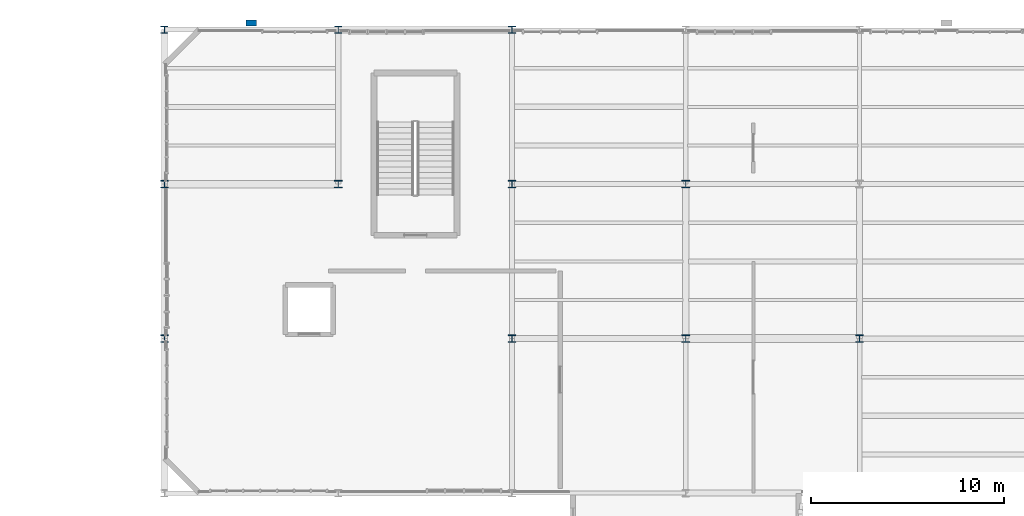
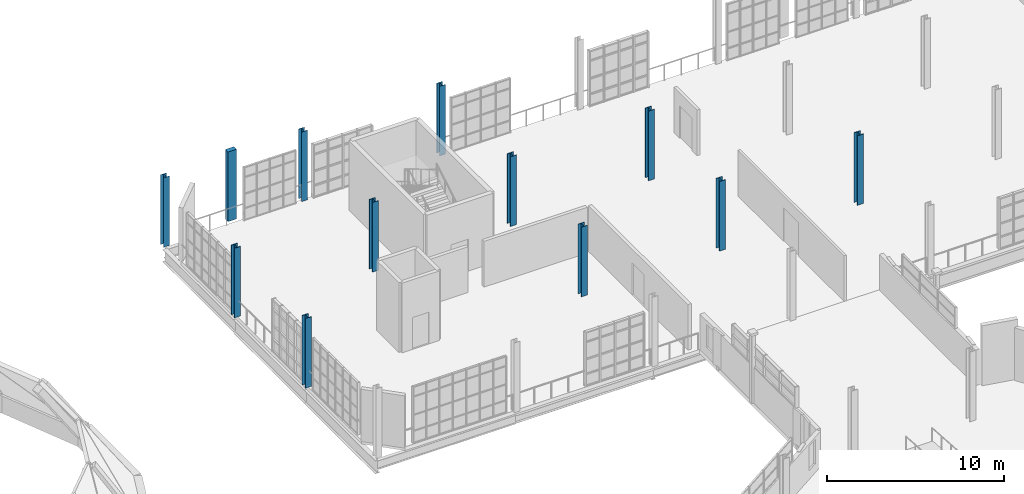
# One storey, part 6 of 118: 12 columns.
"""IFC4 building model written with IfcOpenShell, lengths in metres."""

from ifc_helpers import new_model, si_unit, direction, frame, origin, origin_2d, place, context, subcontext, project, spatial, rectangle, i_section, extrude, material, material_profile, profile_set, type_object, element, save


model = new_model("IFC4")

# Units and contexts
model_context = context("Model", 3, precision=1e-05, world=origin(), true_north=direction((0.0, 1.0)))
body_context = subcontext(model_context, "Body", "Model", "MODEL_VIEW")
ifc_project = project(units=[si_unit("LENGTHUNIT", "METRE"), si_unit("AREAUNIT", "SQUARE_METRE"), si_unit("VOLUMEUNIT", "CUBIC_METRE"), si_unit("PLANEANGLEUNIT", "RADIAN"), si_unit("MASSUNIT", "GRAM", prefix="KILO"), si_unit("THERMODYNAMICTEMPERATUREUNIT", "KELVIN"), si_unit("POWERUNIT", "WATT")], contexts=[model_context])

# Site, building, storey
site_placement = place(None, origin())
site = spatial("IfcSite", under=ifc_project, at=site_placement, CompositionType="ELEMENT")
building_placement = place(site_placement, origin())
building = spatial("IfcBuilding", under=site, at=building_placement, Name="Zelmaris Science Centre", CompositionType="ELEMENT")
storey_placement = place(building_placement, frame((0.0, 0.0, 15.60009765625)))
storey = spatial("IfcBuildingStorey", under=building, at=storey_placement, Name="L03", CompositionType="ELEMENT", Elevation=15.60009765625)

# Columns
ifc_material_1 = material(Name="Steel ASTM A992 Grade 50", Category="steel")
ifc_material_profile_1 = material_profile(ifc_material_1, i_section(OverallWidth=0.39892578125, OverallDepth=0.385986328125, WebThickness=0.02099609375, FlangeThickness=0.033203125, FilletRadius=0.014892578125, at=origin_2d()), Name="W14X176")
ifc_profile_set_1 = profile_set([ifc_material_profile_1], Name="Steel ASTM A992 Grade 50")
column_type_1 = type_object("IfcColumnType", Name="Column C-04 W14X176", PredefinedType="COLUMN", material=ifc_profile_set_1)
for number, where, z_axis, x_axis, name in (
    (1, (54.0, 72.0, 0.0), (0.0, 0.0, 1.0), (1.0, 0.0, 0.0), "Column V5-C-54-72 L03"),
    (2, (54.0, 80.0, 0.0), (0.0, 0.0, 1.0), (1.0, 0.0, 0.0), "Column V5-C-54-80 L03"),
    (3, (63.0, 80.0, 0.0), (0.0, 0.0, 1.0), (1.0, 0.0, 0.0), "Column V5-C-63-80 L03"),
    (4, (72.0, 72.0, 0.0), (0.0, 0.0, 1.0), (1.0, 0.0, 0.0), "Column V5-C-72-72 L03"),
    (5, (72.0, 80.0, 0.0), (0.0, 0.0, 1.0), (1.0, 0.0, 0.0), "Column V5-C-72-80 L03"),
    (6, (81.0, 72.0, 0.0), (0.0, 0.0, 1.0), (1.0, 0.0, 0.0), "Column V5-C-81-72 L03"),
    (7, (81.0, 80.0, 0.0), (0.0, 0.0, 1.0), (1.0, 0.0, 0.0), "Column V5-C-81-80 L03"),
    (8, (90.0, 72.0, 0.0), (0.0, 0.0, 1.0), (1.0, 0.0, 0.0), "Column V5-C-90-72 L03"),
):
    element("IfcColumn", number, at=place(storey_placement, frame(where, z_axis=z_axis, x_axis=x_axis)), inside=storey, type_object=column_type_1, Name=name, PredefinedType="COLUMN", context=body_context, shape_type="SweptSolid", body=[
        extrude(i_section(OverallWidth=0.39892578125, OverallDepth=0.385986328125, WebThickness=0.02099609375, FlangeThickness=0.033203125, FilletRadius=0.014892578125, at=origin_2d()), origin(), (0.0, 0.0, 1.0), 4.7998046875),
    ])
ifc_material_profile_2 = material_profile(ifc_material_1, i_section(OverallWidth=0.367919921875, OverallDepth=0.35595703125, WebThickness=0.01123046875, FlangeThickness=0.01806640625, FilletRadius=0.014892578125, at=origin_2d()), Name="W14X90")
ifc_profile_set_2 = profile_set([ifc_material_profile_2], Name="Steel ASTM A992 Grade 50")
column_type_2 = type_object("IfcColumnType", Name="Column C-07 W14X90", PredefinedType="COLUMN", material=ifc_profile_set_2)
for number, where, z_axis, x_axis, name in (
    (9, (54.0, 88.0, 0.0), (0.0, 0.0, 1.0), (1.0, 0.0, 0.0), "Column V5-C-54-88 L03"),
    (10, (63.0, 88.0, 0.0), (0.0, 0.0, 1.0), (1.0, 0.0, 0.0), "Column V5-C-63-88 L03"),
    (11, (72.0, 88.0, 0.0), (0.0, 0.0, 1.0), (1.0, 0.0, 0.0), "Column V5-C-72-88 L03"),
):
    element("IfcColumn", number, at=place(storey_placement, frame(where, z_axis=z_axis, x_axis=x_axis)), inside=storey, type_object=column_type_2, Name=name, PredefinedType="COLUMN", context=body_context, shape_type="SweptSolid", body=[
        extrude(i_section(OverallWidth=0.367919921875, OverallDepth=0.35595703125, WebThickness=0.01123046875, FlangeThickness=0.01806640625, FilletRadius=0.014892578125, at=origin_2d()), origin(), (0.0, 0.0, 1.0), 4.7998046875),
    ])
ifc_material_2 = material(Name="Yucatan limestone ashlar masonry", Category="masonry")
ifc_material_profile_3 = material_profile(ifc_material_2, rectangle(XDim=0.550048828125, YDim=0.300048828125, at=origin_2d()), Name="PIL-LIM-550X300")
ifc_profile_set_3 = profile_set([ifc_material_profile_3], Name="Yucatan limestone ashlar masonry")
column_type_3 = type_object("IfcColumnType", Name="Pilaster PL-03 PIL-LIM-550X300", PredefinedType="PILASTER", material=ifc_profile_set_3)
column_placement = place(storey_placement, frame((58.5, 88.35009765625, 0.0), z_axis=(0.0, 0.0, 1.0), x_axis=(1.0, 0.0, 0.0)))
element("IfcColumn", 12, at=column_placement, inside=storey, type_object=column_type_3, Name="Limestone pilaster PIL-V5N-1 L03", PredefinedType="PILASTER", context=body_context, shape_type="SweptSolid", body=[
    extrude(rectangle(XDim=0.550048828125, YDim=0.300048828125, at=origin_2d()), origin(), (0.0, 0.0, 1.0), 4.7998046875),
])

save(model, "model.ifc")
